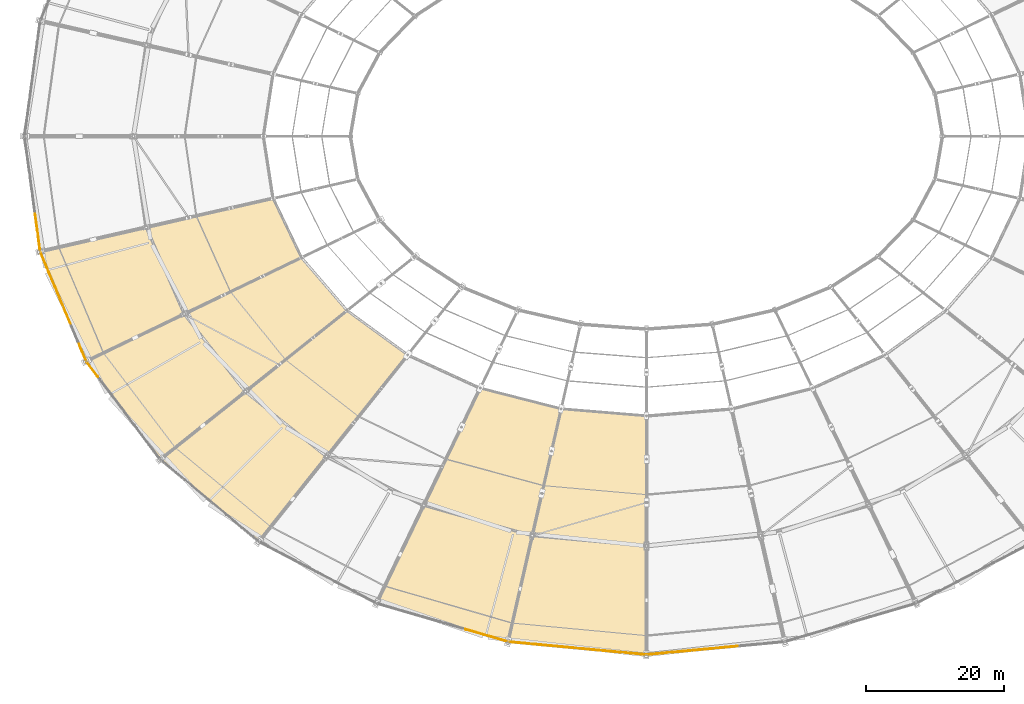
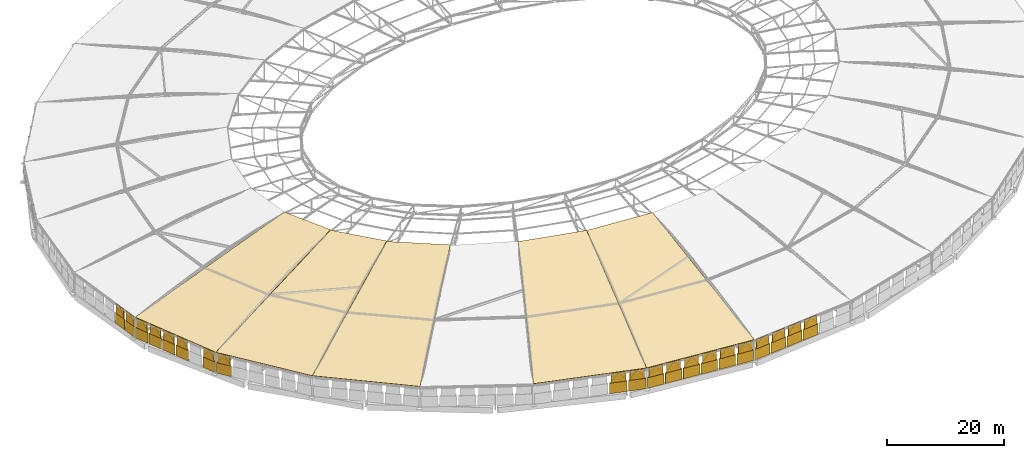
# One storey, part 101 of 108: 45 coverings, 20 shading devices.
"""IFC4 building model written with IfcOpenShell, lengths in metres."""

from ifc_helpers import new_model, si_unit, direction, frame, origin, origin_2d, place, context, subcontext, project, spatial, polyline, rectangle, outline, extrude, material, layer, layer_set, type_object, element, save


model = new_model("IFC4")

# Units and contexts
model_context = context("Model", 3, precision=1e-05, world=origin(), true_north=direction((0.0, 1.0)))
body_context = subcontext(model_context, "Body", "Model", "MODEL_VIEW")
ifc_project = project(units=[si_unit("LENGTHUNIT", "METRE"), si_unit("AREAUNIT", "SQUARE_METRE"), si_unit("VOLUMEUNIT", "CUBIC_METRE"), si_unit("PLANEANGLEUNIT", "RADIAN"), si_unit("MASSUNIT", "GRAM", prefix="KILO")], contexts=[model_context])

# Site, building, storey
site_placement = place(None, origin())
site = spatial("IfcSite", under=ifc_project, at=site_placement, CompositionType="ELEMENT")
building_placement = place(site_placement, origin())
building = spatial("IfcBuilding", under=site, at=building_placement, Name="Zevraka Park Crest Stadium", CompositionType="ELEMENT")
storey_placement = place(building_placement, frame((0.0, 0.0, 29.39990234375)))
storey = spatial("IfcBuildingStorey", under=building, at=storey_placement, Name="RF", CompositionType="ELEMENT", Elevation=29.39990234375)

# Coverings
ifc_material_1 = material(Name="Architectural golden-bronze perforated aluminium", Category="aluminium")
ifc_layer_1 = layer(ifc_material_1, 0.034912109375)
ifc_layer_set_1 = layer_set([ifc_layer_1], Name="Architectural golden-bronze perforated aluminium")
covering_type_1 = type_object("IfcCoveringType", Name="CLD01", PredefinedType="CLADDING", material=ifc_layer_set_1)
covering_1_placement = place(storey_placement, frame((23.22412109375, 80.718017578125, 0.0), z_axis=(-0.990962016896, -0.134142763758, 0.0), x_axis=(0.134142763758, -0.990962016896, 0.0)))
element("IfcCovering", 1, at=covering_1_placement, inside=storey, type_object=covering_type_1, Name="Canopy Crown Perforated Bronze Fascia 15-5A", PredefinedType="CLADDING", context=body_context, shape_type="SweptSolid", body=[
    extrude(outline(polyline([(0.0, 0.0), (2.593508444878777, 0.0), (2.593508444878777, 2.2001953125), (0.0, 2.2001953125), (0.0, 0.0)])), origin(), (0.0, 0.0, -1.0), 0.044921875),
])
covering_2_placement = place(storey_placement, frame((23.22412109375, 80.718017578125, 2.2001953125), z_axis=(0.990962015594, 0.134142763581, 5.1275838e-05), x_axis=(0.134142763758, -0.990962016896, 0.0)))
element("IfcCovering", 2, at=covering_2_placement, inside=storey, type_object=covering_type_1, Name="Canopy Crown Triangular Bronze Screen 15-5B", PredefinedType="CLADDING", context=body_context, shape_type="SweptSolid", body=[
    extrude(outline(polyline([(0.0, 0.0), (2.593508444878777, 0.0), (1.2966168805472187, -2.0397949245565257), (0.0, 0.0)])), origin(), (0.0, 0.0, -1.0), 0.044921875),
])
covering_3_placement = place(storey_placement, frame((23.60205078125, 77.925048828125, 0.0), z_axis=(-0.991005261785, -0.133822909531, 0.0), x_axis=(0.133822909531, -0.991005261785, 0.0)))
element("IfcCovering", 3, at=covering_3_placement, inside=storey, type_object=covering_type_1, Name="Canopy Crown Perforated Bronze Fascia 15-6A", PredefinedType="CLADDING", context=body_context, shape_type="SweptSolid", body=[
    extrude(outline(polyline([(0.0, 0.0), (2.5924098447759607, 0.0), (2.5924098447759607, 2.2001953124999996), (0.0, 2.2001953124999996), (0.0, 0.0)])), origin(), (0.0, 0.0, -1.0), 0.044921875),
])
covering_4_placement = place(storey_placement, frame((23.60205078125, 77.925048828125, 2.2001953125), z_axis=(-0.991005252365, -0.133822908259, 0.000137875596), x_axis=(0.133822909531, -0.991005261785, 0.0)))
element("IfcCovering", 4, at=covering_4_placement, inside=storey, type_object=covering_type_1, Name="Canopy Crown Triangular Bronze Screen 15-6B", PredefinedType="CLADDING", context=body_context, shape_type="SweptSolid", body=[
    extrude(outline(polyline([(0.0, 0.0), (2.5924098447759607, -6.776263578034403e-21), (1.2968587914111145, 2.0397949412629246), (0.0, 0.0)])), origin(), (0.0, 0.0, -1.0), 0.044921875),
])
covering_5_placement = place(storey_placement, frame((24.009033203125, 75.137939453125, 0.0), z_axis=(-0.922096698468, -0.386959531056, 0.0), x_axis=(0.386959531056, -0.922096698468, 0.0)))
element("IfcCovering", 5, at=covering_5_placement, inside=storey, type_object=covering_type_1, Name="Canopy Crown Perforated Bronze Fascia 16-1A", PredefinedType="CLADDING", context=body_context, shape_type="SweptSolid", body=[
    extrude(outline(polyline([(0.0, 0.0), (2.6460797553062623, 0.0), (2.6460797553062623, 2.2001953125), (0.0, 2.2001953125), (0.0, 0.0)])), origin(), (0.0, 0.0, -1.0), 0.044921875),
])
covering_6_placement = place(storey_placement, frame((24.009033203125, 75.137939453125, 2.2001953125), z_axis=(-0.922096698468, -0.386959531056, 0.0), x_axis=(0.386959531056, -0.922096698468, 0.0)))
element("IfcCovering", 6, at=covering_6_placement, inside=storey, type_object=covering_type_1, Name="Canopy Crown Triangular Bronze Screen 16-1B", PredefinedType="CLADDING", context=body_context, shape_type="SweptSolid", body=[
    extrude(outline(polyline([(0.0, 0.0), (2.6460797553062623, 0.0), (1.3230398776531311, 2.0397949218750004), (0.0, 0.0)])), origin(), (0.0, 0.0, -1.0), 0.044921875),
])
covering_7_placement = place(storey_placement, frame((25.1220703125, 72.485107421875, 0.0), z_axis=(-0.922110512256, -0.386926612146, 0.0), x_axis=(0.386926612146, -0.922110512256, 0.0)))
element("IfcCovering", 7, at=covering_7_placement, inside=storey, type_object=covering_type_1, Name="Canopy Crown Perforated Bronze Fascia 16-2A", PredefinedType="CLADDING", context=body_context, shape_type="SweptSolid", body=[
    extrude(outline(polyline([(0.0, 0.0), (2.6463048782568626, 0.0), (2.6463048782568626, 2.2001953125), (0.0, 2.2001953125), (0.0, 0.0)])), origin(), (0.0, 0.0, -1.0), 0.044921875),
])
covering_8_placement = place(storey_placement, frame((25.1220703125, 72.485107421875, 2.2001953125), z_axis=(0.922110512009, 0.386926612043, 2.3155393e-05), x_axis=(0.386926612146, -0.922110512256, 0.0)))
element("IfcCovering", 8, at=covering_8_placement, inside=storey, type_object=covering_type_1, Name="Canopy Crown Triangular Bronze Screen 16-2B", PredefinedType="CLADDING", context=body_context, shape_type="SweptSolid", body=[
    extrude(outline(polyline([(0.0, 0.0), (2.6463048782568626, -3.3881317890172014e-21), (1.323265001446822, -2.039794922421841), (0.0, 0.0)])), origin(), (0.0, 0.0, -1.0), 0.044921875),
])
covering_9_placement = place(storey_placement, frame((26.235107421875, 69.8330078125, 0.0), z_axis=(-0.922096698468, -0.386959531056, 0.0), x_axis=(0.386959531056, -0.922096698468, 0.0)))
element("IfcCovering", 9, at=covering_9_placement, inside=storey, type_object=covering_type_1, Name="Canopy Crown Perforated Bronze Fascia 16-3A", PredefinedType="CLADDING", context=body_context, shape_type="SweptSolid", body=[
    extrude(outline(polyline([(0.0, 0.0), (2.6460797553062623, 0.0), (2.6460797553062623, 2.2001953125), (0.0, 2.2001953125), (0.0, 0.0)])), origin(), (0.0, 0.0, -1.0), 0.044921875),
])
covering_10_placement = place(storey_placement, frame((26.235107421875, 69.8330078125, 2.2001953125), z_axis=(-0.922096698468, -0.386959531056, 0.0), x_axis=(0.386959531056, -0.922096698468, 0.0)))
element("IfcCovering", 10, at=covering_10_placement, inside=storey, type_object=covering_type_1, Name="Canopy Crown Triangular Bronze Screen 16-3B", PredefinedType="CLADDING", context=body_context, shape_type="SweptSolid", body=[
    extrude(outline(polyline([(0.0, 0.0), (2.6460797553062623, 0.0), (1.3230398776531311, 2.0397949218750004), (0.0, 0.0)])), origin(), (0.0, 0.0, -1.0), 0.044921875),
])
covering_11_placement = place(storey_placement, frame((27.347900390625, 67.179931640625, 0.0), z_axis=(-0.922063774842, -0.387037976332, 0.0), x_axis=(0.387037976332, -0.922063774842, 0.0)))
element("IfcCovering", 11, at=covering_11_placement, inside=storey, type_object=covering_type_1, Name="Canopy Crown Perforated Bronze Fascia 16-4A", PredefinedType="CLADDING", context=body_context, shape_type="SweptSolid", body=[
    extrude(outline(polyline([(0.0, 0.0), (2.646174237424035, 0.0), (2.646174237424035, 2.2001953125), (0.0, 2.2001953125), (0.0, 0.0)])), origin(), (0.0, 0.0, -1.0), 0.044921875),
])
covering_12_placement = place(storey_placement, frame((27.347900390625, 67.179931640625, 2.2001953125), z_axis=(-0.922063773439, -0.387037975743, 5.5180357e-05), x_axis=(0.387037976332, -0.922063774842, 0.0)))
element("IfcCovering", 12, at=covering_12_placement, inside=storey, type_object=covering_type_1, Name="Canopy Crown Triangular Bronze Screen 16-4B", PredefinedType="CLADDING", context=body_context, shape_type="SweptSolid", body=[
    extrude(outline(polyline([(0.0, 0.0), (2.646174237424035, 0.0), (1.3231343645587377, 2.039794924980457), (0.0, 0.0)])), origin(), (0.0, 0.0, -1.0), 0.044921875),
])
covering_13_placement = place(storey_placement, frame((29.573974609375, 61.875, 0.0), z_axis=(-0.922096698468, -0.386959531056, 0.0), x_axis=(0.386959531056, -0.922096698468, 0.0)))
element("IfcCovering", 13, at=covering_13_placement, inside=storey, type_object=covering_type_1, Name="Canopy Crown Perforated Bronze Fascia 16-6A", PredefinedType="CLADDING", context=body_context, shape_type="SweptSolid", body=[
    extrude(outline(polyline([(0.0, 0.0), (2.6460797553062623, 0.0), (2.6460797553062623, 2.2001953125), (0.0, 2.2001953125), (0.0, 0.0)])), origin(), (0.0, 0.0, -1.0), 0.044921875),
])
covering_14_placement = place(storey_placement, frame((29.573974609375, 61.875, 2.2001953125), z_axis=(-0.922096698468, -0.386959531056, 0.0), x_axis=(0.386959531056, -0.922096698468, 0.0)))
element("IfcCovering", 14, at=covering_14_placement, inside=storey, type_object=covering_type_1, Name="Canopy Crown Triangular Bronze Screen 16-6B", PredefinedType="CLADDING", context=body_context, shape_type="SweptSolid", body=[
    extrude(outline(polyline([(0.0, 0.0), (2.6460797553062623, 0.0), (1.3230398776531311, 2.0397949218750004), (0.0, 0.0)])), origin(), (0.0, 0.0, -1.0), 0.044921875),
])
covering_15_placement = place(storey_placement, frame((30.715087890625, 59.23388671875, 0.0), z_axis=(-0.798736787281, -0.601680600189, 0.0), x_axis=(0.601680600189, -0.798736787281, 0.0)))
element("IfcCovering", 15, at=covering_15_placement, inside=storey, type_object=covering_type_1, Name="Canopy Crown Perforated Bronze Fascia 17-1A", PredefinedType="CLADDING", context=body_context, shape_type="SweptSolid", body=[
    extrude(outline(polyline([(0.0, 0.0), (2.7405334004978643, 0.0), (2.7405334004978643, 2.2001953125), (0.0, 2.2001953125), (0.0, 0.0)])), origin(), (0.0, 0.0, -1.0), 0.044921875),
])
covering_16_placement = place(storey_placement, frame((30.715087890625, 59.23388671875, 2.2001953125), z_axis=(0.798736786392, 0.60168059952, 4.7170841e-05), x_axis=(0.601680600189, -0.798736787281, 0.0)))
element("IfcCovering", 16, at=covering_16_placement, inside=storey, type_object=covering_type_1, Name="Canopy Crown Triangular Bronze Screen 17-1B", PredefinedType="CLADDING", context=body_context, shape_type="SweptSolid", body=[
    extrude(outline(polyline([(0.0, 0.0), (2.740533400497864, 1.3552527156068805e-20), (1.369582902696456, -2.039794924144362), (0.0, 0.0)])), origin(), (0.0, 0.0, -1.0), 0.044921875),
])
covering_17_placement = place(storey_placement, frame((85.6708984375, 20.406982421875, 0.0), z_axis=(-0.280089166115, -0.959973988723, 0.0), x_axis=(0.959973988723, -0.280089166115, 0.0)))
element("IfcCovering", 17, at=covering_17_placement, inside=storey, type_object=covering_type_1, Name="Canopy Crown Perforated Bronze Fascia 20-5A", PredefinedType="CLADDING", context=body_context, shape_type="SweptSolid", body=[
    extrude(outline(polyline([(0.0, 0.0), (3.0490429819023257, 0.0), (3.0490429819023257, 2.2001953125), (0.0, 2.2001953125), (0.0, 0.0)])), origin(), (0.0, 0.0, -1.0), 0.044921875),
])
covering_18_placement = place(storey_placement, frame((85.6708984375, 20.406982421875, 2.2001953125), z_axis=(0.280089165761, 0.959973987509, 5.0285308e-05), x_axis=(0.959973988723, -0.280089166115, 0.0)))
element("IfcCovering", 18, at=covering_18_placement, inside=storey, type_object=covering_type_1, Name="Canopy Crown Triangular Bronze Screen 20-5B", PredefinedType="CLADDING", context=body_context, shape_type="SweptSolid", body=[
    extrude(outline(polyline([(0.0, 0.0), (3.0490429819023257, 0.0), (1.5241699379767768, -2.039794924453925), (0.0, 0.0)])), origin(), (0.0, 0.0, -1.0), 0.044921875),
])
covering_19_placement = place(storey_placement, frame((88.85205078125, 19.47900390625, 0.0), z_axis=(-0.280089166115, -0.959973988723, 0.0), x_axis=(0.959973988723, -0.280089166115, 0.0)))
element("IfcCovering", 19, at=covering_19_placement, inside=storey, type_object=covering_type_1, Name="Canopy Crown Perforated Bronze Fascia 20-6A", PredefinedType="CLADDING", context=body_context, shape_type="SweptSolid", body=[
    extrude(outline(polyline([(0.0, 0.0), (3.0490429819023257, 0.0), (3.0490429819023257, 2.2001953125), (0.0, 2.2001953125), (0.0, 0.0)])), origin(), (0.0, 0.0, -1.0), 0.044921875),
])
covering_20_placement = place(storey_placement, frame((88.85205078125, 19.47900390625, 2.2001953125), z_axis=(-0.280089165761, -0.959973987509, 5.0285308e-05), x_axis=(0.959973988723, -0.280089166115, 0.0)))
element("IfcCovering", 20, at=covering_20_placement, inside=storey, type_object=covering_type_1, Name="Canopy Crown Triangular Bronze Screen 20-6B", PredefinedType="CLADDING", context=body_context, shape_type="SweptSolid", body=[
    extrude(outline(polyline([(0.0, 0.0), (3.0490429819023257, 0.0), (1.5248730439255487, 2.039794924453925), (0.0, 0.0)])), origin(), (0.0, 0.0, -1.0), 0.044921875),
])
covering_21_placement = place(storey_placement, frame((92.0400390625, 18.574951171875, 0.0), z_axis=(-0.093409138285, -0.995627808413, 0.0), x_axis=(0.995627808413, -0.093409138285, 0.0)))
element("IfcCovering", 21, at=covering_21_placement, inside=storey, type_object=covering_type_1, Name="Canopy Crown Perforated Bronze Fascia 21-1A", PredefinedType="CLADDING", context=body_context, shape_type="SweptSolid", body=[
    extrude(outline(polyline([(0.0, 0.0), (3.0945848051510843, 0.0), (3.0945848051510843, 2.2001953125), (0.0, 2.2001953125), (0.0, 0.0)])), origin(), (0.0, 0.0, -1.0), 0.044921875),
])
covering_22_placement = place(storey_placement, frame((92.0400390625, 18.574951171875, 2.2001953125), z_axis=(-0.093409136107, -0.995627785193, 0.000215970951), x_axis=(0.995627808413, -0.093409138285, 0.0)))
element("IfcCovering", 22, at=covering_22_placement, inside=storey, type_object=covering_type_1, Name="Canopy Crown Triangular Bronze Screen 21-1B", PredefinedType="CLADDING", context=body_context, shape_type="SweptSolid", body=[
    extrude(outline(polyline([(0.0, 0.0), (3.0945848051510843, 0.0), (1.546760646253912, 2.03979496944654), (0.0, 0.0)])), origin(), (0.0, 0.0, -1.0), 0.044921875),
])
covering_23_placement = place(storey_placement, frame((95.388916015625, 18.260986328125, 0.0), z_axis=(-0.093721942407, -0.995598411766, 0.0), x_axis=(0.995598411766, -0.093721942407, 0.0)))
element("IfcCovering", 23, at=covering_23_placement, inside=storey, type_object=covering_type_1, Name="Canopy Crown Perforated Bronze Fascia 21-2A", PredefinedType="CLADDING", context=body_context, shape_type="SweptSolid", body=[
    extrude(outline(polyline([(0.0, 0.0), (3.0946761777513334, 0.0), (3.0946761777513334, 2.2001953125), (0.0, 2.2001953125), (0.0, 0.0)])), origin(), (0.0, 0.0, -1.0), 0.044921875),
])
covering_24_placement = place(storey_placement, frame((95.388916015625, 18.260986328125, 2.2001953125), z_axis=(0.093721942384, 0.995598411516, 2.2434935e-05), x_axis=(0.995598411766, -0.093721942407, 0.0)))
element("IfcCovering", 24, at=covering_24_placement, inside=storey, type_object=covering_type_1, Name="Canopy Crown Triangular Bronze Screen 21-2B", PredefinedType="CLADDING", context=body_context, shape_type="SweptSolid", body=[
    extrude(outline(polyline([(0.0, 0.0), (3.0946761777513334, 8.470329472543003e-22), (1.5468519568386714, -2.039794922388341), (0.0, 0.0)])), origin(), (0.0, 0.0, -1.0), 0.044921875),
])
covering_25_placement = place(storey_placement, frame((98.738037109375, 17.946044921875, 0.0), z_axis=(-0.093409138285, -0.995627808413, 0.0), x_axis=(0.995627808413, -0.093409138285, 0.0)))
element("IfcCovering", 25, at=covering_25_placement, inside=storey, type_object=covering_type_1, Name="Canopy Crown Perforated Bronze Fascia 21-3A", PredefinedType="CLADDING", context=body_context, shape_type="SweptSolid", body=[
    extrude(outline(polyline([(0.0, 0.0), (3.0945848051510843, 0.0), (3.0945848051510843, 2.2001953125), (0.0, 2.2001953125), (0.0, 0.0)])), origin(), (0.0, 0.0, -1.0), 0.044921875),
])
covering_26_placement = place(storey_placement, frame((98.738037109375, 17.946044921875, 2.2001953125), z_axis=(-0.093409135111, -0.995627774581, 0.000260691062), x_axis=(0.995627808413, -0.093409138285, 0.0)))
element("IfcCovering", 26, at=covering_26_placement, inside=storey, type_object=covering_type_1, Name="Canopy Crown Triangular Bronze Screen 21-3B", PredefinedType="CLADDING", context=body_context, shape_type="SweptSolid", body=[
    extrude(outline(polyline([(0.0, 0.0), (3.0945848051510843, 0.0), (1.5477329390355652, 2.0397949911870614), (0.0, 0.0)])), origin(), (0.0, 0.0, -1.0), 0.044921875),
])
covering_27_placement = place(storey_placement, frame((102.0869140625, 17.631103515625, 0.0), z_axis=(-0.093409138285, -0.995627808413, 0.0), x_axis=(0.995627808413, -0.093409138285, 0.0)))
element("IfcCovering", 27, at=covering_27_placement, inside=storey, type_object=covering_type_1, Name="Canopy Crown Perforated Bronze Fascia 21-4A", PredefinedType="CLADDING", context=body_context, shape_type="SweptSolid", body=[
    extrude(outline(polyline([(0.0, 0.0), (3.0945848051510843, 0.0), (3.0945848051510843, 2.2001953125), (0.0, 2.2001953125), (0.0, 0.0)])), origin(), (0.0, 0.0, -1.0), 0.044921875),
])
covering_28_placement = place(storey_placement, frame((102.0869140625, 17.631103515625, 2.2001953125), z_axis=(0.093409136107, 0.995627785193, 0.000215970951), x_axis=(0.995627808413, -0.093409138285, 0.0)))
element("IfcCovering", 28, at=covering_28_placement, inside=storey, type_object=covering_type_1, Name="Canopy Crown Triangular Bronze Screen 21-4B", PredefinedType="CLADDING", context=body_context, shape_type="SweptSolid", body=[
    extrude(outline(polyline([(0.0, 0.0), (3.0945848051510843, 0.0), (1.547824158897172, -2.03979496944654), (0.0, 0.0)])), origin(), (0.0, 0.0, -1.0), 0.044921875),
])
covering_29_placement = place(storey_placement, frame((105.43603515625, 17.31689453125, 0.0), z_axis=(-0.093643743975, -0.995605769978, 0.0), x_axis=(0.995605769978, -0.093643743975, 0.0)))
element("IfcCovering", 29, at=covering_29_placement, inside=storey, type_object=covering_type_1, Name="Canopy Crown Perforated Bronze Fascia 21-5A", PredefinedType="CLADDING", context=body_context, shape_type="SweptSolid", body=[
    extrude(outline(polyline([(0.0, 0.0), (3.0946533059634094, 0.0), (3.0946533059634094, 2.2001953125), (0.0, 2.2001953125), (0.0, 0.0)])), origin(), (0.0, 0.0, -1.0), 0.044921875),
])
covering_30_placement = place(storey_placement, frame((105.43603515625, 17.31689453125, 2.2001953125), z_axis=(-0.09364374391, -0.995605769291, 3.7165218e-05), x_axis=(0.995605769978, -0.093643743975, 0.0)))
element("IfcCovering", 30, at=covering_30_placement, inside=storey, type_object=covering_type_1, Name="Canopy Crown Triangular Bronze Screen 21-5B", PredefinedType="CLADDING", context=body_context, shape_type="SweptSolid", body=[
    extrude(outline(polyline([(0.0, 0.0), (3.0946533059634094, 0.0), (1.546829086230742, 2.039794923283737), (0.0, 0.0)])), origin(), (0.0, 0.0, -1.0), 0.044921875),
])
covering_31_placement = place(storey_placement, frame((108.784912109375, 17.001953125, 0.0), z_axis=(-0.093409138285, -0.995627808413, 0.0), x_axis=(0.995627808413, -0.093409138285, 0.0)))
element("IfcCovering", 31, at=covering_31_placement, inside=storey, type_object=covering_type_1, Name="Canopy Crown Perforated Bronze Fascia 21-6A", PredefinedType="CLADDING", context=body_context, shape_type="SweptSolid", body=[
    extrude(outline(polyline([(0.0, 0.0), (3.0945848051510843, 0.0), (3.0945848051510843, 2.2001953125), (0.0, 2.2001953125), (0.0, 0.0)])), origin(), (0.0, 0.0, -1.0), 0.044921875),
])
covering_32_placement = place(storey_placement, frame((108.784912109375, 17.001953125, 2.2001953125), z_axis=(-0.093409135111, -0.995627774581, 0.000260691062), x_axis=(0.995627808413, -0.093409138285, 0.0)))
element("IfcCovering", 32, at=covering_32_placement, inside=storey, type_object=covering_type_1, Name="Canopy Crown Triangular Bronze Screen 21-6B", PredefinedType="CLADDING", context=body_context, shape_type="SweptSolid", body=[
    extrude(outline(polyline([(0.0, 0.0), (3.0945848051510843, 0.0), (1.5477329390355652, 2.0397949911870614), (0.0, 0.0)])), origin(), (0.0, 0.0, -1.0), 0.044921875),
])
covering_33_placement = place(storey_placement, frame((112.134033203125, 16.712890625, 0.0), z_axis=(0.093409138285, -0.995627808413, 0.0), x_axis=(0.995627808413, 0.093409138285, 0.0)))
element("IfcCovering", 33, at=covering_33_placement, inside=storey, type_object=covering_type_1, Name="Canopy Crown Perforated Bronze Fascia 22-1A", PredefinedType="CLADDING", context=body_context, shape_type="SweptSolid", body=[
    extrude(outline(polyline([(0.0, 0.0), (3.0945848051510843, 0.0), (3.0945848051510843, 2.2001953125), (0.0, 2.2001953125), (0.0, 0.0)])), origin(), (0.0, 0.0, -1.0), 0.044921875),
])
covering_34_placement = place(storey_placement, frame((112.134033203125, 16.712890625, 2.2001953125), z_axis=(0.093409135111, -0.995627774581, 0.000260691062), x_axis=(0.995627808413, 0.093409138285, 0.0)))
element("IfcCovering", 34, at=covering_34_placement, inside=storey, type_object=covering_type_1, Name="Canopy Crown Triangular Bronze Screen 22-1B", PredefinedType="CLADDING", context=body_context, shape_type="SweptSolid", body=[
    extrude(outline(polyline([(0.0, 0.0), (3.0945848051510843, 0.0), (1.5468518661155188, 2.0397949911870614), (0.0, 0.0)])), origin(), (0.0, 0.0, -1.0), 0.044921875),
])
covering_35_placement = place(storey_placement, frame((115.48291015625, 17.027099609375, 0.0), z_axis=(0.093643743975, -0.995605769978, 0.0), x_axis=(0.995605769978, 0.093643743975, 0.0)))
element("IfcCovering", 35, at=covering_35_placement, inside=storey, type_object=covering_type_1, Name="Canopy Crown Perforated Bronze Fascia 22-2A", PredefinedType="CLADDING", context=body_context, shape_type="SweptSolid", body=[
    extrude(outline(polyline([(0.0, 0.0), (3.0946533059634094, 0.0), (3.0946533059634094, 2.2001953125), (0.0, 2.2001953125), (0.0, 0.0)])), origin(), (0.0, 0.0, -1.0), 0.044921875),
])
covering_36_placement = place(storey_placement, frame((115.48291015625, 17.027099609375, 2.2001953125), z_axis=(0.09364374391, -0.995605769291, 3.7165218e-05), x_axis=(0.995605769978, 0.093643743975, 0.0)))
element("IfcCovering", 36, at=covering_36_placement, inside=storey, type_object=covering_type_1, Name="Canopy Crown Triangular Bronze Screen 22-2B", PredefinedType="CLADDING", context=body_context, shape_type="SweptSolid", body=[
    extrude(outline(polyline([(0.0, 0.0), (3.0946533059634094, 0.0), (1.547824219732668, 2.039794923283737), (0.0, 0.0)])), origin(), (0.0, 0.0, -1.0), 0.044921875),
])
covering_37_placement = place(storey_placement, frame((118.83203125, 17.342041015625, 0.0), z_axis=(0.093409138285, -0.995627808413, 0.0), x_axis=(0.995627808413, 0.093409138285, 0.0)))
element("IfcCovering", 37, at=covering_37_placement, inside=storey, type_object=covering_type_1, Name="Canopy Crown Perforated Bronze Fascia 22-3A", PredefinedType="CLADDING", context=body_context, shape_type="SweptSolid", body=[
    extrude(outline(polyline([(0.0, 0.0), (3.0945848051510843, 0.0), (3.0945848051510843, 2.2001953125), (0.0, 2.2001953125), (0.0, 0.0)])), origin(), (0.0, 0.0, -1.0), 0.044921875),
])
covering_38_placement = place(storey_placement, frame((118.83203125, 17.342041015625, 2.2001953125), z_axis=(-0.093409136107, 0.995627785193, 0.000215970951), x_axis=(0.995627808413, 0.093409138285, 0.0)))
element("IfcCovering", 38, at=covering_38_placement, inside=storey, type_object=covering_type_1, Name="Canopy Crown Triangular Bronze Screen 22-3B", PredefinedType="CLADDING", context=body_context, shape_type="SweptSolid", body=[
    extrude(outline(polyline([(0.0, 0.0), (3.0945848051510843, 0.0), (1.546760646253912, -2.03979496944654), (0.0, 0.0)])), origin(), (0.0, 0.0, -1.0), 0.044921875),
])
covering_39_placement = place(storey_placement, frame((122.180908203125, 17.656982421875, 0.0), z_axis=(0.093409138285, -0.995627808413, 0.0), x_axis=(0.995627808413, 0.093409138285, 0.0)))
element("IfcCovering", 39, at=covering_39_placement, inside=storey, type_object=covering_type_1, Name="Canopy Crown Perforated Bronze Fascia 22-4A", PredefinedType="CLADDING", context=body_context, shape_type="SweptSolid", body=[
    extrude(outline(polyline([(0.0, 0.0), (3.0945848051510843, 0.0), (3.0945848051510843, 2.2001953125), (0.0, 2.2001953125), (0.0, 0.0)])), origin(), (0.0, 0.0, -1.0), 0.044921875),
])
covering_40_placement = place(storey_placement, frame((122.180908203125, 17.656982421875, 2.2001953125), z_axis=(0.093409135111, -0.995627774581, 0.000260691062), x_axis=(0.995627808413, 0.093409138285, 0.0)))
element("IfcCovering", 40, at=covering_40_placement, inside=storey, type_object=covering_type_1, Name="Canopy Crown Triangular Bronze Screen 22-4B", PredefinedType="CLADDING", context=body_context, shape_type="SweptSolid", body=[
    extrude(outline(polyline([(0.0, 0.0), (3.0945848051510843, 0.0), (1.5468518661155188, 2.0397949911870614), (0.0, 0.0)])), origin(), (0.0, 0.0, -1.0), 0.044921875),
])

# Shading devices
ifc_material_2 = material(Name="Terracotta and bronze acoustic ventilation louvre", Category="masonry")
ifc_layer_2 = layer(ifc_material_2, 0.080078125)
ifc_layer_set_2 = layer_set([ifc_layer_2], Name="Terracotta and bronze acoustic ventilation louvre")
shading_device_type = type_object("IfcShadingDeviceType", Name="LVR01", PredefinedType="USERDEFINED", material=ifc_layer_set_2)
for number, where, z_axis, x_axis, name in (
    (41, (23.39794921875, 79.43310546875, 2.22021484375), (0.0, 0.0, 1.0), (0.133813224182, -0.991006569622, 0.0), "Canopy Crown Acoustic Wind Louvre 15-5"),
    (42, (23.77587890625, 76.639892578125, 2.22021484375), (0.0, 0.0, 1.0), (0.133813224182, -0.991006569622, 0.0), "Canopy Crown Acoustic Wind Louvre 15-6"),
):
    element("IfcShadingDevice", number, at=place(storey_placement, frame(where, z_axis=z_axis, x_axis=x_axis)), inside=storey, type_object=shading_device_type, Name=name, ObjectType="LOUVRE", PredefinedType="USERDEFINED", context=body_context, shape_type="SweptSolid", body=[
        extrude(rectangle(XDim=2.2041015625, YDim=0.1201171875, at=origin_2d()), origin(), (0.0, 0.0, 1.0), 2.0),
    ])
for number, where, z_axis, x_axis, name in (
    (43, (24.52099609375, 73.91796875, 2.22021484375), (0.0, 0.0, 1.0), (0.387032846937, -0.922065927899, 0.0), "Canopy Crown Acoustic Wind Louvre 16-1"),
    (44, (25.634033203125, 71.264892578125, 2.22021484375), (0.0, 0.0, 1.0), (0.387032846937, -0.922065927899, 0.0), "Canopy Crown Acoustic Wind Louvre 16-2"),
    (45, (26.7470703125, 68.613037109375, 2.22021484375), (0.0, 0.0, 1.0), (0.387032846937, -0.922065927899, 0.0), "Canopy Crown Acoustic Wind Louvre 16-3"),
    (46, (27.860107421875, 65.9599609375, 2.22021484375), (0.0, 0.0, 1.0), (0.387032846937, -0.922065927899, 0.0), "Canopy Crown Acoustic Wind Louvre 16-4"),
    (47, (30.0859375, 60.655029296875, 2.22021484375), (0.0, 0.0, 1.0), (0.387032846937, -0.922065927899, 0.0), "Canopy Crown Acoustic Wind Louvre 16-6"),
):
    element("IfcShadingDevice", number, at=place(storey_placement, frame(where, z_axis=z_axis, x_axis=x_axis)), inside=storey, type_object=shading_device_type, Name=name, ObjectType="LOUVRE", PredefinedType="USERDEFINED", context=body_context, shape_type="SweptSolid", body=[
        extrude(rectangle(XDim=2.25, YDim=0.1201171875, at=origin_2d()), origin(), (0.0, 0.0, 1.0), 2.0),
    ])
shading_device_placement = place(storey_placement, frame((31.5390625, 58.139892578125, 2.22021484375), z_axis=(0.0, 0.0, 1.0), x_axis=(0.601815023152, -0.798635510047, 0.0)))
element("IfcShadingDevice", 48, at=shading_device_placement, inside=storey, type_object=shading_device_type, Name="Canopy Crown Acoustic Wind Louvre 17-1", ObjectType="LOUVRE", PredefinedType="USERDEFINED", context=body_context, shape_type="SweptSolid", body=[
    extrude(rectangle(XDim=2.330078125, YDim=0.1201171875, at=origin_2d()), origin(), (0.0, 0.0, 1.0), 2.0),
])
for number, where, z_axis, x_axis, name in (
    (49, (87.134033203125, 19.97998046875, 2.22021484375), (0.0, 0.0, 1.0), (0.959952117146, -0.280164117595, 0.0), "Canopy Crown Acoustic Wind Louvre 20-5"),
    (50, (90.31591796875, 19.052001953125, 2.22021484375), (0.0, 0.0, 1.0), (0.959952117146, -0.280164117595, 0.0), "Canopy Crown Acoustic Wind Louvre 20-6"),
):
    element("IfcShadingDevice", number, at=place(storey_placement, frame(where, z_axis=z_axis, x_axis=x_axis)), inside=storey, type_object=shading_device_type, Name=name, ObjectType="LOUVRE", PredefinedType="USERDEFINED", context=body_context, shape_type="SweptSolid", body=[
        extrude(rectangle(XDim=2.591064453125, YDim=0.1201171875, at=origin_2d()), origin(), (0.0, 0.0, 1.0), 2.0),
    ])
for number, where, z_axis, x_axis, name in (
    (51, (93.580078125, 18.430908203125, 2.22021484375), (0.0, 0.0, 1.0), (0.995611103129, -0.093587025416, 0.0), "Canopy Crown Acoustic Wind Louvre 21-1"),
    (52, (96.928955078125, 18.115966796875, 2.22021484375), (0.0, 0.0, 1.0), (0.995611103129, -0.093587025416, 0.0), "Canopy Crown Acoustic Wind Louvre 21-2"),
    (53, (100.279052734375, 17.802001953125, 2.22021484375), (0.0, 0.0, 1.0), (0.995611103129, -0.093587025416, 0.0), "Canopy Crown Acoustic Wind Louvre 21-3"),
    (54, (103.6279296875, 17.486083984375, 2.22021484375), (0.0, 0.0, 1.0), (0.995611103129, -0.093587025416, 0.0), "Canopy Crown Acoustic Wind Louvre 21-4"),
    (55, (106.97607421875, 17.172119140625, 2.22021484375), (0.0, 0.0, 1.0), (0.995611103129, -0.093587025416, 0.0), "Canopy Crown Acoustic Wind Louvre 21-5"),
    (56, (110.325927734375, 16.85791015625, 2.22021484375), (0.0, 0.0, 1.0), (0.995611103129, -0.093587025416, 0.0), "Canopy Crown Acoustic Wind Louvre 21-6"),
    (57, (113.674072265625, 16.85791015625, 2.22021484375), (0.0, 0.0, 1.0), (0.995611103129, 0.093587025416, 0.0), "Canopy Crown Acoustic Wind Louvre 22-1"),
    (58, (117.02392578125, 17.172119140625, 2.22021484375), (0.0, 0.0, 1.0), (0.995611103129, 0.093587025416, 0.0), "Canopy Crown Acoustic Wind Louvre 22-2"),
    (59, (120.3720703125, 17.486083984375, 2.22021484375), (0.0, 0.0, 1.0), (0.995611103129, 0.093587025416, 0.0), "Canopy Crown Acoustic Wind Louvre 22-3"),
    (60, (123.720947265625, 17.802001953125, 2.22021484375), (0.0, 0.0, 1.0), (0.995611103129, 0.093587025416, 0.0), "Canopy Crown Acoustic Wind Louvre 22-4"),
):
    element("IfcShadingDevice", number, at=place(storey_placement, frame(where, z_axis=z_axis, x_axis=x_axis)), inside=storey, type_object=shading_device_type, Name=name, ObjectType="LOUVRE", PredefinedType="USERDEFINED", context=body_context, shape_type="SweptSolid", body=[
        extrude(rectangle(XDim=2.6298828125, YDim=0.1201171875, at=origin_2d()), origin(), (0.0, 0.0, 1.0), 2.0),
    ])

# Coverings
ifc_material_3 = material(Name="Insulated standing-seam acoustic aluminium roofing", Category="aluminium")
ifc_layer_3 = layer(ifc_material_3, 0.06005859375)
ifc_layer_set_3 = layer_set([ifc_layer_3], Name="Insulated standing-seam acoustic aluminium roofing")
covering_type_2 = type_object("IfcCoveringType", Name="RCV01", PredefinedType="ROOFING", material=ifc_layer_set_3)
covering_41_placement = place(storey_placement, frame((23.964111328125, 75.243896484375, 4.300048828125), z_axis=(-0.142925763867, -0.059976486424, 0.98791449382), x_axis=(0.386972793874, -0.922091132578, 4.652088e-06)))
element("IfcCovering", 61, at=covering_41_placement, inside=storey, type_object=covering_type_2, Name="Canopy Acoustic Standing-Seam Roofing OUTER-16", PredefinedType="ROOFING", context=body_context, shape_type="SweptSolid", body=[
    extrude(outline(polyline([(0.0, 0.0), (17.259465181005595, -8.881784197001252e-16), (15.475378531952735, 35.07706488869247), (5.9707077142774585, 34.60061216176034), (0.0, 0.0)])), origin(), (0.0, 0.0, -1.0), 0.06005859375),
])
covering_42_placement = place(storey_placement, frame((30.64306640625, 59.3291015625, 4.300048828125), z_axis=(-0.124003879913, -0.093437799611, 0.987872671639), x_axis=(0.601762579493, -0.79867502646, -5.610473e-06)))
element("IfcCovering", 62, at=covering_42_placement, inside=storey, type_object=covering_type_2, Name="Canopy Acoustic Standing-Seam Roofing OUTER-17", PredefinedType="ROOFING", context=body_context, shape_type="SweptSolid", body=[
    extrude(outline(polyline([(0.0, 0.0), (17.877191864068372, 0.0), (16.923126799175247, 35.112317023755686), (6.7888391544301765, 34.4461793855873), (0.0, 0.0)])), origin(), (0.0, 0.0, -1.0), 0.06005859375),
])
covering_43_placement = place(storey_placement, frame((41.40087890625, 45.051025390625, 4.300048828125), z_axis=(-0.099486559587, -0.119302637189, 0.987860974642), x_axis=(0.768009420077, -0.640438545587, 6.14953e-07)))
element("IfcCovering", 63, at=covering_43_placement, inside=storey, type_object=covering_type_2, Name="Canopy Acoustic Standing-Seam Roofing OUTER-18", PredefinedType="ROOFING", context=body_context, shape_type="SweptSolid", body=[
    extrude(outline(polyline([(0.0, 0.0), (18.61708226015734, 0.0), (17.857797870937674, 35.11839210854259), (6.979552157535769, 34.408124214685195), (0.0, 0.0)])), origin(), (0.0, 0.0, -1.0), 0.06005859375),
])
covering_44_placement = place(storey_placement, frame((72.820068359375, 24.156982421875, 4.300048828125), z_axis=(-0.043398259759, -0.148725371122, 0.987925784173), x_axis=(0.959968018352, -0.280109628072, 1.551768e-06)))
element("IfcCovering", 64, at=covering_44_placement, inside=storey, type_object=covering_type_2, Name="Canopy Acoustic Standing-Seam Roofing OUTER-20", PredefinedType="ROOFING", context=body_context, shape_type="SweptSolid", body=[
    extrude(outline(polyline([(0.0, 0.0), (19.881845832189512, 8.881784197001252e-16), (17.818523575519016, 35.062130843250785), (5.6958748048157695, 34.6480070270648), (0.0, 0.0)])), origin(), (0.0, 0.0, -1.0), 0.06005859375),
])
covering_45_placement = place(storey_placement, frame((91.906005859375, 18.587890625, 4.300048828125), z_axis=(-0.014481203844, -0.154065798808, 0.987954464726), x_axis=(0.995615114853, -0.093544337305, 5.792147e-06)))
element("IfcCovering", 65, at=covering_45_placement, inside=storey, type_object=covering_type_2, Name="Canopy Acoustic Standing-Seam Roofing OUTER-21", PredefinedType="ROOFING", context=body_context, shape_type="SweptSolid", body=[
    extrude(outline(polyline([(0.0, 0.0), (20.18249032919716, 6.661338147750939e-16), (16.93653773581871, 34.96903492530013), (4.523483051847872, 34.823529103079544), (0.0, 0.0)])), origin(), (0.0, 0.0, -1.0), 0.06005859375),
])

save(model, "model.ifc")
